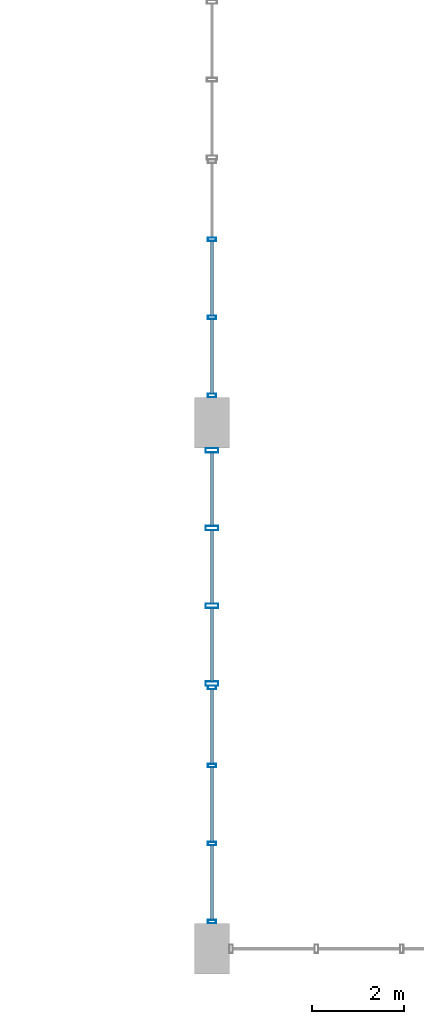
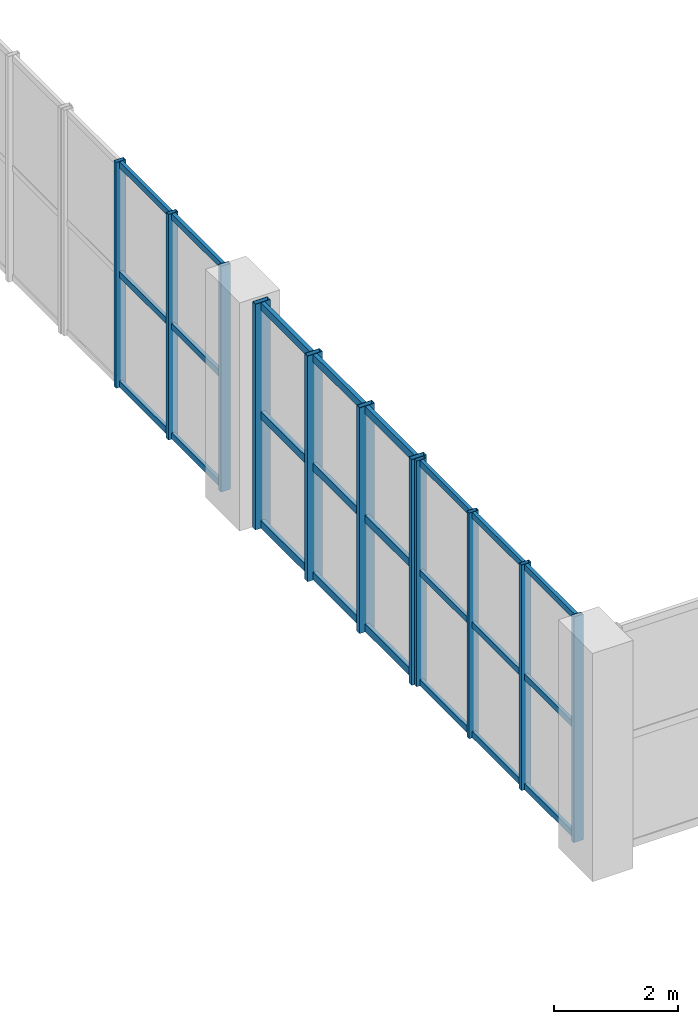
# One storey, part 12 of 48: 35 members, 3 elements without a shape of their own.
"""IFC4 building model written with IfcOpenShell, lengths in metres."""

import ifcopenshell
import ifcopenshell.guid

model = None  # the IFC model being written
_history = None  # IfcOwnerHistory: only IFC2X3 demands one
_inside = {}  # id of a spatial element -> (the spatial element, [elements in it])
_under = {}  # id of a project, library or spatial element -> (it, [spatial elements below it])
_declared = {}  # id of a project -> (the project, [libraries it declares])
_typed = {}  # id of a type object -> (the type object, [elements of that type])
_made_of = {}  # id of a material, layer set ... -> (it, [elements and type objects made of it])


def new_model(schema):
    """Start an empty IFC model of exactly this schema.

    Asked for "IFC4X3", IfcOpenShell would pick the latest addendum, in which some entities
    have other attributes; the version numbers below select the first issue.
    IFC2X3 requires an IfcOwnerHistory on every rooted entity: one is made here for all.
    """
    global model, _history
    if schema == "IFC4X3":
        model = ifcopenshell.file(schema_version=(4, 3, 0, 0))
    else:
        model = ifcopenshell.file(schema=schema)
    _inside.clear()
    _under.clear()
    _declared.clear()
    _typed.clear()
    _made_of.clear()
    _history = None
    if model.schema == "IFC2X3":
        org = make("IfcOrganization", Name="unknown")
        user = make(
            "IfcPersonAndOrganization",
            ThePerson=make("IfcPerson", FamilyName="unknown"),
            TheOrganization=org,
        )
        app = make(
            "IfcApplication",
            ApplicationDeveloper=org,
            Version="unknown",
            ApplicationFullName="unknown",
            ApplicationIdentifier="unknown",
        )
        _history = make(
            "IfcOwnerHistory",
            OwningUser=user,
            OwningApplication=app,
            ChangeAction="ADDED",
            CreationDate=0,
        )
    return model


def make(cls, **values):
    """One entity of the class cls with the attributes given. An attribute that is None is left unset."""
    return model.create_entity(
        cls, **{name: value for name, value in values.items() if value is not None}
    )


def rooted(cls, **values):
    """An entity with a GlobalId (a new one), such as an element, a storey or a relation."""
    return make(cls, GlobalId=ifcopenshell.guid.new(), OwnerHistory=_history, **values)


def si_unit(unit_type, name, prefix=None):
    """IfcSIUnit, for example si_unit("LENGTHUNIT", "METRE", prefix="MILLI")."""
    return make("IfcSIUnit", UnitType=unit_type, Prefix=prefix, Name=name)


def assignment(units):
    """IfcUnitAssignment: the units of a project."""
    return None if units is None else make("IfcUnitAssignment", Units=units)


def point(xyz):
    """IfcCartesianPoint."""
    return None if xyz is None else make("IfcCartesianPoint", Coordinates=xyz)


def direction(xyz):
    """IfcDirection."""
    return None if xyz is None else make("IfcDirection", DirectionRatios=xyz)


def frame(location, z_axis=None, x_axis=None):
    """IfcAxis2Placement3D, a coordinate frame: its origin and axes. An axis left out is left unset."""
    return make(
        "IfcAxis2Placement3D",
        Location=point(location),
        Axis=direction(z_axis),
        RefDirection=direction(x_axis),
    )


def frame_2d(location, x_axis=None):
    """IfcAxis2Placement2D, a coordinate frame in the plane: its origin and x axis."""
    return make(
        "IfcAxis2Placement2D", Location=point(location), RefDirection=direction(x_axis)
    )


def origin():
    """The frame at (0, 0, 0) with its axes left unset."""
    return frame((0.0, 0.0, 0.0))


def origin_2d():
    """The frame at (0, 0) in the plane with its x axis left unset."""
    return frame_2d((0.0, 0.0))


def place(relative_to, where):
    """IfcLocalPlacement: puts the frame where relative to a parent placement (None: the world)."""
    return make(
        "IfcLocalPlacement", PlacementRelTo=relative_to, RelativePlacement=where
    )


def context(
    kind, dimensions, precision=None, world=None, true_north=None, identifier=None
):
    """IfcGeometricRepresentationContext, for example the 3D "Model" context."""
    return make(
        "IfcGeometricRepresentationContext",
        ContextIdentifier=identifier,
        ContextType=kind,
        CoordinateSpaceDimension=dimensions,
        Precision=precision,
        WorldCoordinateSystem=world,
        TrueNorth=true_north,
    )


def subcontext(parent, identifier, kind, view, scale=None):
    """IfcGeometricRepresentationSubContext, for example "Body" below "Model"."""
    return make(
        "IfcGeometricRepresentationSubContext",
        ContextIdentifier=identifier,
        ContextType=kind,
        ParentContext=parent,
        TargetScale=scale,
        TargetView=view,
    )


def project(units=None, contexts=None):
    """IfcProject with its units and contexts."""
    return rooted(
        "IfcProject",
        Name="project",
        RepresentationContexts=contexts,
        UnitsInContext=assignment(units),
    )


def spatial(cls, under=None, at=None, **own):
    """A site, building, storey or space (cls), placed at a placement, below another one or the project."""
    s = rooted(cls, ObjectPlacement=at, **own)
    if under is not None:
        _under.setdefault(under.id(), (under, []))[1].append(s)
    return s


def profile(cls, at=None, kind="AREA", **sizes):
    """A parametric profile (cls). Its sizes go by their IFC names, for example OverallWidth=200.0."""
    return make(cls, ProfileType=kind, Position=at, **sizes)


def hollow_rectangle(**sizes):
    """IfcRectangleHollowProfileDef."""
    return profile("IfcRectangleHollowProfileDef", **sizes)


def extrude(swept, where, along, depth):
    """IfcExtrudedAreaSolid: the profile swept, set in the frame where, extruded along a direction by depth."""
    return make(
        "IfcExtrudedAreaSolid",
        SweptArea=swept,
        Position=where,
        ExtrudedDirection=direction(along),
        Depth=depth,
    )


def shape(context_of_items, identifier, shape_type, items):
    """IfcShapeRepresentation: the items that make up one representation, for example the "Body"."""
    return make(
        "IfcShapeRepresentation",
        ContextOfItems=context_of_items,
        RepresentationIdentifier=identifier,
        RepresentationType=shape_type,
        Items=items,
    )


def material(Name=None, Category=None):
    """IfcMaterial."""
    return make("IfcMaterial", Name=Name, Category=Category)


def layer(
    of_material, thickness, ventilated=None, Name=None, Category=None, Priority=None
):
    """IfcMaterialLayer: one layer of a wall or slab, of a material (None: an air gap)."""
    return make(
        "IfcMaterialLayer",
        Material=of_material,
        LayerThickness=thickness,
        IsVentilated=ventilated,
        Name=Name,
        Category=Category,
        Priority=Priority,
    )


def layer_set(layers, Name=None):
    """IfcMaterialLayerSet."""
    return make("IfcMaterialLayerSet", MaterialLayers=layers, LayerSetName=Name)


def material_profile(
    of_material, cross_section, Name=None, Category=None, Priority=None
):
    """IfcMaterialProfile: a cross section and its material."""
    return make(
        "IfcMaterialProfile",
        Name=Name,
        Material=of_material,
        Profile=cross_section,
        Priority=Priority,
        Category=Category,
    )


def profile_set(profiles, Name=None, composite=None):
    """IfcMaterialProfileSet."""
    return make(
        "IfcMaterialProfileSet",
        Name=Name,
        MaterialProfiles=profiles,
        CompositeProfile=composite,
    )


def made_of(thing, what):
    """Note that an element or type object is made of a material, layer set ...; save() writes the relation."""
    if what is not None:
        _made_of.setdefault(what.id(), (what, []))[1].append(thing)
    return thing


def type_object(cls, material=None, **own):
    """A type object (cls), such as IfcWallType, which elements share."""
    return made_of(rooted(cls, **own), material)


def element(
    cls,
    number,
    at=None,
    inside=None,
    cuts=None,
    type_object=None,
    material=None,
    context=None,
    identifier="Body",
    shape_type=None,
    held_by="IfcProductDefinitionShape",
    body=None,
    shapes=None,
    **own,
):
    """One element of the class cls, such as IfcWall. Its Tag is "e" and its number.

    at: its placement. inside: the storey or other place that contains it. cuts: it is an
    opening in that element (IfcRelVoidsElement). A single representation is given by context,
    identifier, shape_type and body (its items); several are given by shapes. held_by: the class
    of the entity that holds the representations. save() writes the other relations.
    """
    e = rooted(cls, Tag="e%d" % number, ObjectPlacement=at, **own)
    if body is not None:
        shapes = [shape(context, identifier, shape_type, body)]
    if shapes is not None:
        e.Representation = make(held_by, Representations=shapes)
    if inside is not None:
        _inside.setdefault(inside.id(), (inside, []))[1].append(e)
    if cuts is not None:
        rooted(
            "IfcRelVoidsElement", RelatingBuildingElement=cuts, RelatedOpeningElement=e
        )
    if type_object is not None:
        _typed.setdefault(type_object.id(), (type_object, []))[1].append(e)
    return made_of(e, material)


def aggregate(whole, parts):
    """IfcRelAggregates: a whole, such as a stair, and the parts it consists of."""
    return rooted("IfcRelAggregates", RelatingObject=whole, RelatedObjects=parts)


def save(model, path):
    """Write the relations noted so far, then the file.

    IfcRelAggregates (storeys below a building ...), IfcRelContainedInSpatialStructure (elements
    in a storey), IfcRelDefinesByType, IfcRelAssociatesMaterial and IfcRelDeclares: one each for
    every whole, place, type object, material and project.
    """
    for whole, parts in _under.values():
        aggregate(whole, parts)
    for where, things in _inside.values():
        rooted(
            "IfcRelContainedInSpatialStructure",
            RelatedElements=things,
            RelatingStructure=where,
        )
    for kind, things in _typed.values():
        rooted("IfcRelDefinesByType", RelatedObjects=things, RelatingType=kind)
    for what, things in _made_of.values():
        rooted("IfcRelAssociatesMaterial", RelatedObjects=things, RelatingMaterial=what)
    for by, libraries in _declared.values():
        rooted("IfcRelDeclares", RelatingContext=by, RelatedDefinitions=libraries)
    model.write(path)


model = new_model("IFC4")

# Units and contexts
model_context = context("Model", 3, precision=1e-05, world=origin(), true_north=direction((0.0, 1.0)))
body_context = subcontext(model_context, "Body", "Model", "MODEL_VIEW")
ifc_project = project(units=[si_unit("LENGTHUNIT", "METRE"), si_unit("AREAUNIT", "SQUARE_METRE"), si_unit("VOLUMEUNIT", "CUBIC_METRE"), si_unit("PLANEANGLEUNIT", "RADIAN"), si_unit("MASSUNIT", "GRAM", prefix="KILO"), si_unit("POWERUNIT", "WATT"), si_unit("THERMODYNAMICTEMPERATUREUNIT", "KELVIN")], contexts=[model_context])

# Site, building, storey
site_placement = place(None, origin())
site = spatial("IfcSite", under=ifc_project, at=site_placement, CompositionType="ELEMENT")
building_placement = place(site_placement, origin())
building = spatial("IfcBuilding", under=site, at=building_placement, Name="Kelmbourne Parkland Aquatics Centre", CompositionType="ELEMENT")
storey_placement = place(building_placement, frame((0.0, 0.0, 14.699951171875)))
storey = spatial("IfcBuildingStorey", under=building, at=storey_placement, Name="L03", CompositionType="ELEMENT", Elevation=14.699951171875)

# Curtain wall, members
ifc_material = material(Name="Thermally broken anodised aluminium framing", Category="aluminium")
ifc_layer_1 = layer(ifc_material, 0.179931640625)
ifc_layer_set_1 = layer_set([ifc_layer_1], Name="Thermally broken anodised aluminium framing")
curtain_wall_type_1 = type_object("IfcCurtainWallType", Name="CW-06", PredefinedType="NOTDEFINED", material=ifc_layer_set_1)
curtain_wall_1_placement = place(storey_placement, origin())
curtain_wall_1 = element("IfcCurtainWall", 1, at=curtain_wall_1_placement, inside=storey, type_object=curtain_wall_type_1, Name="Wave-hall clerestory curtain wall CW-L03-006", PredefinedType="NOTDEFINED")
ifc_material_profile_1 = material_profile(ifc_material, hollow_rectangle(XDim=0.074951171875, YDim=0.179931640625, WallThickness=0.00439453125, at=origin_2d()), Name="CW-M 75x180")
ifc_profile_set_1 = profile_set([ifc_material_profile_1], Name="Thermally broken anodised aluminium framing")
member_type_1 = type_object("IfcMemberType", Name="MB-MUL-2", PredefinedType="MULLION", material=ifc_profile_set_1)
member_1_placement = place(storey_placement, frame((128.0, 1.389404296875, 0.0), z_axis=(0.0, 0.0, 1.0), x_axis=(0.0, 1.0, 0.0)))
member_1 = element("IfcMember", 2, at=member_1_placement, type_object=member_type_1, Name="CW-L03-006 mullion 0", PredefinedType="MULLION", context=body_context, shape_type="SweptSolid", body=[
    extrude(hollow_rectangle(XDim=0.074951171875, YDim=0.179931640625, WallThickness=0.00439453125, at=origin_2d()), origin(), (0.0, 0.0, 1.0), 4.449951171875),
])
member_2_placement = place(storey_placement, frame((128.0, 3.08056640625, 0.0), z_axis=(0.0, 0.0, 1.0), x_axis=(0.0, 1.0, 0.0)))
member_2 = element("IfcMember", 3, at=member_2_placement, type_object=member_type_1, Name="CW-L03-006 mullion 1", PredefinedType="MULLION", context=body_context, shape_type="SweptSolid", body=[
    extrude(hollow_rectangle(XDim=0.074951171875, YDim=0.179931640625, WallThickness=0.00439453125, at=origin_2d()), origin(), (0.0, 0.0, 1.0), 4.449951171875),
])
member_3_placement = place(storey_placement, frame((128.0, 4.771484375, 0.0), z_axis=(0.0, 0.0, 1.0), x_axis=(0.0, 1.0, 0.0)))
member_3 = element("IfcMember", 4, at=member_3_placement, type_object=member_type_1, Name="CW-L03-006 mullion 2", PredefinedType="MULLION", context=body_context, shape_type="SweptSolid", body=[
    extrude(hollow_rectangle(XDim=0.074951171875, YDim=0.179931640625, WallThickness=0.00439453125, at=origin_2d()), origin(), (0.0, 0.0, 1.0), 4.449951171875),
])
member_4_placement = place(storey_placement, frame((128.0, 6.46240234375, 0.0), z_axis=(0.0, 0.0, 1.0), x_axis=(0.0, 1.0, 0.0)))
member_4 = element("IfcMember", 5, at=member_4_placement, type_object=member_type_1, Name="CW-L03-006 mullion 3", PredefinedType="MULLION", context=body_context, shape_type="SweptSolid", body=[
    extrude(hollow_rectangle(XDim=0.074951171875, YDim=0.179931640625, WallThickness=0.00439453125, at=origin_2d()), origin(), (0.0, 0.0, 1.0), 4.449951171875),
])

ifc_layer_2 = layer(ifc_material, 0.179931640625)
ifc_layer_set_2 = layer_set([ifc_layer_2], Name="Thermally broken anodised aluminium framing")
curtain_wall_type_2 = type_object("IfcCurtainWallType", Name="CW-21", PredefinedType="NOTDEFINED", material=ifc_layer_set_2)
curtain_wall_2_placement = place(storey_placement, origin())
curtain_wall_2 = element("IfcCurtainWall", 6, at=curtain_wall_2_placement, inside=storey, type_object=curtain_wall_type_2, Name="Wave-hall clerestory curtain wall CW-L03-021", PredefinedType="NOTDEFINED")
member_5_placement = place(storey_placement, frame((128.0, 12.78955078125, 0.0), z_axis=(0.0, 0.0, 1.0), x_axis=(0.0, 1.0, 0.0)))
member_5 = element("IfcMember", 7, at=member_5_placement, type_object=member_type_1, Name="CW-L03-021 mullion 0", PredefinedType="MULLION", context=body_context, shape_type="SweptSolid", body=[
    extrude(hollow_rectangle(XDim=0.074951171875, YDim=0.179931640625, WallThickness=0.00439453125, at=origin_2d()), origin(), (0.0, 0.0, 1.0), 4.449951171875),
])
member_6_placement = place(storey_placement, frame((128.0, 14.48046875, 0.0), z_axis=(0.0, 0.0, 1.0), x_axis=(0.0, 1.0, 0.0)))
member_6 = element("IfcMember", 8, at=member_6_placement, type_object=member_type_1, Name="CW-L03-021 mullion 1", PredefinedType="MULLION", context=body_context, shape_type="SweptSolid", body=[
    extrude(hollow_rectangle(XDim=0.074951171875, YDim=0.179931640625, WallThickness=0.00439453125, at=origin_2d()), origin(), (0.0, 0.0, 1.0), 4.449951171875),
])
member_7_placement = place(storey_placement, frame((128.0, 16.17138671875, 0.0), z_axis=(0.0, 0.0, 1.0), x_axis=(0.0, 1.0, 0.0)))
member_7 = element("IfcMember", 9, at=member_7_placement, type_object=member_type_1, Name="CW-L03-021 mullion 2", PredefinedType="MULLION", context=body_context, shape_type="SweptSolid", body=[
    extrude(hollow_rectangle(XDim=0.074951171875, YDim=0.179931640625, WallThickness=0.00439453125, at=origin_2d()), origin(), (0.0, 0.0, 1.0), 4.449951171875),
])

ifc_layer_3 = layer(ifc_material, 0.179931640625)
ifc_layer_set_3 = layer_set([ifc_layer_3], Name="Thermally broken anodised aluminium framing")
curtain_wall_type_3 = type_object("IfcCurtainWallType", Name="CW-13", PredefinedType="NOTDEFINED", material=ifc_layer_set_3)
curtain_wall_3_placement = place(storey_placement, origin())
curtain_wall_3 = element("IfcCurtainWall", 10, at=curtain_wall_3_placement, inside=storey, type_object=curtain_wall_type_3, Name="Wave-hall clerestory curtain wall CW-L03-013", PredefinedType="NOTDEFINED")
ifc_material_profile_2 = material_profile(ifc_material, hollow_rectangle(XDim=0.094970703125, YDim=0.280029296875, WallThickness=0.005615234375, at=origin_2d()), Name="CW-M 95x280")
ifc_profile_set_2 = profile_set([ifc_material_profile_2], Name="Thermally broken anodised aluminium framing")
member_type_2 = type_object("IfcMemberType", Name="MB-MUL-4", PredefinedType="MULLION", material=ifc_profile_set_2)
member_8_placement = place(storey_placement, frame((128.0, 6.547607421875, 0.0), z_axis=(0.0, 0.0, 1.0), x_axis=(0.0, 1.0, 0.0)))
member_8 = element("IfcMember", 11, at=member_8_placement, type_object=member_type_2, Name="CW-L03-013 mullion 0", PredefinedType="MULLION", context=body_context, shape_type="SweptSolid", body=[
    extrude(hollow_rectangle(XDim=0.094970703125, YDim=0.280029296875, WallThickness=0.005615234375, at=origin_2d()), origin(), (0.0, 0.0, 1.0), 4.449951171875),
])
member_9_placement = place(storey_placement, frame((128.0, 8.231689453125, 0.0), z_axis=(0.0, 0.0, 1.0), x_axis=(0.0, 1.0, 0.0)))
member_9 = element("IfcMember", 12, at=member_9_placement, type_object=member_type_2, Name="CW-L03-013 mullion 1", PredefinedType="MULLION", context=body_context, shape_type="SweptSolid", body=[
    extrude(hollow_rectangle(XDim=0.094970703125, YDim=0.280029296875, WallThickness=0.005615234375, at=origin_2d()), origin(), (0.0, 0.0, 1.0), 4.449951171875),
])
member_10_placement = place(storey_placement, frame((128.0, 9.916259765625, 0.0), z_axis=(0.0, 0.0, 1.0), x_axis=(0.0, 1.0, 0.0)))
member_10 = element("IfcMember", 13, at=member_10_placement, type_object=member_type_2, Name="CW-L03-013 mullion 2", PredefinedType="MULLION", context=body_context, shape_type="SweptSolid", body=[
    extrude(hollow_rectangle(XDim=0.094970703125, YDim=0.280029296875, WallThickness=0.005615234375, at=origin_2d()), origin(), (0.0, 0.0, 1.0), 4.449951171875),
])
member_11_placement = place(storey_placement, frame((128.0, 11.6005859375, 0.0), z_axis=(0.0, 0.0, 1.0), x_axis=(0.0, 1.0, 0.0)))
member_11 = element("IfcMember", 14, at=member_11_placement, type_object=member_type_2, Name="CW-L03-013 mullion 3", PredefinedType="MULLION", context=body_context, shape_type="SweptSolid", body=[
    extrude(hollow_rectangle(XDim=0.094970703125, YDim=0.280029296875, WallThickness=0.005615234375, at=origin_2d()), origin(), (0.0, 0.0, 1.0), 4.449951171875),
])

# Member
ifc_material_profile_3 = material_profile(ifc_material, hollow_rectangle(XDim=0.06494140625, YDim=0.1201171875, WallThickness=0.00341796875, at=origin_2d()), Name="CW-T 65x120")
ifc_profile_set_3 = profile_set([ifc_material_profile_3], Name="Thermally broken anodised aluminium framing")
member_type_3 = type_object("IfcMemberType", Name="MB-TRN-1", PredefinedType="USERDEFINED", material=ifc_profile_set_3)
member_12_placement = place(storey_placement, frame((128.0, 1.423095703125, 0.06298828125), z_axis=(0.0, 1.0, 0.0), x_axis=(-1.0, 0.0, 0.0)))
member_12 = element("IfcMember", 15, at=member_12_placement, type_object=member_type_3, Name="CW-L03-006 transom 0-0", ObjectType="TRANSOM", PredefinedType="USERDEFINED", context=body_context, shape_type="SweptSolid", body=[
    extrude(hollow_rectangle(XDim=0.06494140625, YDim=0.1201171875, WallThickness=0.00341796875, at=origin_2d()), origin(), (0.0, 0.0, 1.0), 1.6240234375),
])

member_13_placement = place(storey_placement, frame((128.0, 3.114013671875, 0.06298828125), z_axis=(0.0, 1.0, 0.0), x_axis=(-1.0, 0.0, 0.0)))
member_13 = element("IfcMember", 16, at=member_13_placement, type_object=member_type_3, Name="CW-L03-006 transom 0-1", ObjectType="TRANSOM", PredefinedType="USERDEFINED", context=body_context, shape_type="SweptSolid", body=[
    extrude(hollow_rectangle(XDim=0.06494140625, YDim=0.1201171875, WallThickness=0.00341796875, at=origin_2d()), origin(), (0.0, 0.0, 1.0), 1.6240234375),
])

member_14_placement = place(storey_placement, frame((128.0, 4.804931640625, 0.06298828125), z_axis=(0.0, 1.0, 0.0), x_axis=(-1.0, 0.0, 0.0)))
member_14 = element("IfcMember", 17, at=member_14_placement, type_object=member_type_3, Name="CW-L03-006 transom 0-2", ObjectType="TRANSOM", PredefinedType="USERDEFINED", context=body_context, shape_type="SweptSolid", body=[
    extrude(hollow_rectangle(XDim=0.06494140625, YDim=0.1201171875, WallThickness=0.00341796875, at=origin_2d()), origin(), (0.0, 0.0, 1.0), 1.6240234375),
])

member_15_placement = place(storey_placement, frame((128.0, 1.423095703125, 2.22509765625), z_axis=(0.0, 1.0, 0.0), x_axis=(-1.0, 0.0, 0.0)))
member_15 = element("IfcMember", 18, at=member_15_placement, type_object=member_type_3, Name="CW-L03-006 transom 1-0", ObjectType="TRANSOM", PredefinedType="USERDEFINED", context=body_context, shape_type="SweptSolid", body=[
    extrude(hollow_rectangle(XDim=0.06494140625, YDim=0.1201171875, WallThickness=0.00341796875, at=origin_2d()), origin(), (0.0, 0.0, 1.0), 1.6240234375),
])

member_16_placement = place(storey_placement, frame((128.0, 3.114013671875, 2.22509765625), z_axis=(0.0, 1.0, 0.0), x_axis=(-1.0, 0.0, 0.0)))
member_16 = element("IfcMember", 19, at=member_16_placement, type_object=member_type_3, Name="CW-L03-006 transom 1-1", ObjectType="TRANSOM", PredefinedType="USERDEFINED", context=body_context, shape_type="SweptSolid", body=[
    extrude(hollow_rectangle(XDim=0.06494140625, YDim=0.1201171875, WallThickness=0.00341796875, at=origin_2d()), origin(), (0.0, 0.0, 1.0), 1.6240234375),
])

member_17_placement = place(storey_placement, frame((128.0, 4.804931640625, 2.22509765625), z_axis=(0.0, 1.0, 0.0), x_axis=(-1.0, 0.0, 0.0)))
member_17 = element("IfcMember", 20, at=member_17_placement, type_object=member_type_3, Name="CW-L03-006 transom 1-2", ObjectType="TRANSOM", PredefinedType="USERDEFINED", context=body_context, shape_type="SweptSolid", body=[
    extrude(hollow_rectangle(XDim=0.06494140625, YDim=0.1201171875, WallThickness=0.00341796875, at=origin_2d()), origin(), (0.0, 0.0, 1.0), 1.6240234375),
])

member_18_placement = place(storey_placement, frame((128.0, 1.423095703125, 4.386962890625), z_axis=(0.0, 1.0, 0.0), x_axis=(-1.0, 0.0, 0.0)))
member_18 = element("IfcMember", 21, at=member_18_placement, type_object=member_type_3, Name="CW-L03-006 transom 2-0", ObjectType="TRANSOM", PredefinedType="USERDEFINED", context=body_context, shape_type="SweptSolid", body=[
    extrude(hollow_rectangle(XDim=0.06494140625, YDim=0.1201171875, WallThickness=0.00341796875, at=origin_2d()), origin(), (0.0, 0.0, 1.0), 1.6240234375),
])

member_19_placement = place(storey_placement, frame((128.0, 3.114013671875, 4.386962890625), z_axis=(0.0, 1.0, 0.0), x_axis=(-1.0, 0.0, 0.0)))
member_19 = element("IfcMember", 22, at=member_19_placement, type_object=member_type_3, Name="CW-L03-006 transom 2-1", ObjectType="TRANSOM", PredefinedType="USERDEFINED", context=body_context, shape_type="SweptSolid", body=[
    extrude(hollow_rectangle(XDim=0.06494140625, YDim=0.1201171875, WallThickness=0.00341796875, at=origin_2d()), origin(), (0.0, 0.0, 1.0), 1.6240234375),
])

member_20_placement = place(storey_placement, frame((128.0, 4.804931640625, 4.386962890625), z_axis=(0.0, 1.0, 0.0), x_axis=(-1.0, 0.0, 0.0)))
member_20 = element("IfcMember", 23, at=member_20_placement, type_object=member_type_3, Name="CW-L03-006 transom 2-2", ObjectType="TRANSOM", PredefinedType="USERDEFINED", context=body_context, shape_type="SweptSolid", body=[
    extrude(hollow_rectangle(XDim=0.06494140625, YDim=0.1201171875, WallThickness=0.00341796875, at=origin_2d()), origin(), (0.0, 0.0, 1.0), 1.6240234375),
])

aggregate(curtain_wall_1, [member_1, member_2, member_3, member_4, member_12, member_13, member_14, member_15, member_16, member_17, member_18, member_19, member_20])

member_21_placement = place(storey_placement, frame((128.0, 12.822998046875, 0.06298828125), z_axis=(0.0, 1.0, 0.0), x_axis=(-1.0, 0.0, 0.0)))
member_21 = element("IfcMember", 24, at=member_21_placement, type_object=member_type_3, Name="CW-L03-021 transom 0-0", ObjectType="TRANSOM", PredefinedType="USERDEFINED", context=body_context, shape_type="SweptSolid", body=[
    extrude(hollow_rectangle(XDim=0.06494140625, YDim=0.1201171875, WallThickness=0.00341796875, at=origin_2d()), origin(), (0.0, 0.0, 1.0), 1.6240234375),
])

member_22_placement = place(storey_placement, frame((128.0, 14.513916015625, 0.06298828125), z_axis=(0.0, 1.0, 0.0), x_axis=(-1.0, 0.0, 0.0)))
member_22 = element("IfcMember", 25, at=member_22_placement, type_object=member_type_3, Name="CW-L03-021 transom 0-1", ObjectType="TRANSOM", PredefinedType="USERDEFINED", context=body_context, shape_type="SweptSolid", body=[
    extrude(hollow_rectangle(XDim=0.06494140625, YDim=0.1201171875, WallThickness=0.00341796875, at=origin_2d()), origin(), (0.0, 0.0, 1.0), 1.6240234375),
])

member_23_placement = place(storey_placement, frame((128.0, 12.822998046875, 2.22509765625), z_axis=(0.0, 1.0, 0.0), x_axis=(-1.0, 0.0, 0.0)))
member_23 = element("IfcMember", 26, at=member_23_placement, type_object=member_type_3, Name="CW-L03-021 transom 1-0", ObjectType="TRANSOM", PredefinedType="USERDEFINED", context=body_context, shape_type="SweptSolid", body=[
    extrude(hollow_rectangle(XDim=0.06494140625, YDim=0.1201171875, WallThickness=0.00341796875, at=origin_2d()), origin(), (0.0, 0.0, 1.0), 1.6240234375),
])

member_24_placement = place(storey_placement, frame((128.0, 14.513916015625, 2.22509765625), z_axis=(0.0, 1.0, 0.0), x_axis=(-1.0, 0.0, 0.0)))
member_24 = element("IfcMember", 27, at=member_24_placement, type_object=member_type_3, Name="CW-L03-021 transom 1-1", ObjectType="TRANSOM", PredefinedType="USERDEFINED", context=body_context, shape_type="SweptSolid", body=[
    extrude(hollow_rectangle(XDim=0.06494140625, YDim=0.1201171875, WallThickness=0.00341796875, at=origin_2d()), origin(), (0.0, 0.0, 1.0), 1.6240234375),
])

member_25_placement = place(storey_placement, frame((128.0, 12.822998046875, 4.386962890625), z_axis=(0.0, 1.0, 0.0), x_axis=(-1.0, 0.0, 0.0)))
member_25 = element("IfcMember", 28, at=member_25_placement, type_object=member_type_3, Name="CW-L03-021 transom 2-0", ObjectType="TRANSOM", PredefinedType="USERDEFINED", context=body_context, shape_type="SweptSolid", body=[
    extrude(hollow_rectangle(XDim=0.06494140625, YDim=0.1201171875, WallThickness=0.00341796875, at=origin_2d()), origin(), (0.0, 0.0, 1.0), 1.6240234375),
])

member_26_placement = place(storey_placement, frame((128.0, 14.513916015625, 4.386962890625), z_axis=(0.0, 1.0, 0.0), x_axis=(-1.0, 0.0, 0.0)))
member_26 = element("IfcMember", 29, at=member_26_placement, type_object=member_type_3, Name="CW-L03-021 transom 2-1", ObjectType="TRANSOM", PredefinedType="USERDEFINED", context=body_context, shape_type="SweptSolid", body=[
    extrude(hollow_rectangle(XDim=0.06494140625, YDim=0.1201171875, WallThickness=0.00341796875, at=origin_2d()), origin(), (0.0, 0.0, 1.0), 1.6240234375),
])

aggregate(curtain_wall_2, [member_5, member_6, member_7, member_21, member_22, member_23, member_24, member_25, member_26])

ifc_material_profile_4 = material_profile(ifc_material, hollow_rectangle(XDim=0.074951171875, YDim=0.14990234375, WallThickness=0.00390625, at=origin_2d()), Name="CW-T 75x150")
ifc_profile_set_4 = profile_set([ifc_material_profile_4], Name="Thermally broken anodised aluminium framing")
member_type_4 = type_object("IfcMemberType", Name="MB-TRN-2", PredefinedType="USERDEFINED", material=ifc_profile_set_4)
member_27_placement = place(storey_placement, frame((128.0, 6.591064453125, 0.078125), z_axis=(0.0, 1.0, 0.0), x_axis=(-1.0, 0.0, 0.0)))
member_27 = element("IfcMember", 30, at=member_27_placement, type_object=member_type_4, Name="CW-L03-013 transom 0-0", ObjectType="TRANSOM", PredefinedType="USERDEFINED", context=body_context, shape_type="SweptSolid", body=[
    extrude(hollow_rectangle(XDim=0.074951171875, YDim=0.14990234375, WallThickness=0.00390625, at=origin_2d()), origin(), (0.0, 0.0, 1.0), 1.59716796875),
])

member_28_placement = place(storey_placement, frame((128.0, 8.275390625, 0.078125), z_axis=(0.0, 1.0, 0.0), x_axis=(-1.0, 0.0, 0.0)))
member_28 = element("IfcMember", 31, at=member_28_placement, type_object=member_type_4, Name="CW-L03-013 transom 0-1", ObjectType="TRANSOM", PredefinedType="USERDEFINED", context=body_context, shape_type="SweptSolid", body=[
    extrude(hollow_rectangle(XDim=0.074951171875, YDim=0.14990234375, WallThickness=0.00390625, at=origin_2d()), origin(), (0.0, 0.0, 1.0), 1.597412109375),
])

member_29_placement = place(storey_placement, frame((128.0, 9.959716796875, 0.078125), z_axis=(0.0, 1.0, 0.0), x_axis=(-1.0, 0.0, 0.0)))
member_29 = element("IfcMember", 32, at=member_29_placement, type_object=member_type_4, Name="CW-L03-013 transom 0-2", ObjectType="TRANSOM", PredefinedType="USERDEFINED", context=body_context, shape_type="SweptSolid", body=[
    extrude(hollow_rectangle(XDim=0.074951171875, YDim=0.14990234375, WallThickness=0.00390625, at=origin_2d()), origin(), (0.0, 0.0, 1.0), 1.59716796875),
])

member_30_placement = place(storey_placement, frame((128.0, 6.591064453125, 2.22509765625), z_axis=(0.0, 1.0, 0.0), x_axis=(-1.0, 0.0, 0.0)))
member_30 = element("IfcMember", 33, at=member_30_placement, type_object=member_type_4, Name="CW-L03-013 transom 1-0", ObjectType="TRANSOM", PredefinedType="USERDEFINED", context=body_context, shape_type="SweptSolid", body=[
    extrude(hollow_rectangle(XDim=0.074951171875, YDim=0.14990234375, WallThickness=0.00390625, at=origin_2d()), origin(), (0.0, 0.0, 1.0), 1.59716796875),
])

member_31_placement = place(storey_placement, frame((128.0, 8.275390625, 2.22509765625), z_axis=(0.0, 1.0, 0.0), x_axis=(-1.0, 0.0, 0.0)))
member_31 = element("IfcMember", 34, at=member_31_placement, type_object=member_type_4, Name="CW-L03-013 transom 1-1", ObjectType="TRANSOM", PredefinedType="USERDEFINED", context=body_context, shape_type="SweptSolid", body=[
    extrude(hollow_rectangle(XDim=0.074951171875, YDim=0.14990234375, WallThickness=0.00390625, at=origin_2d()), origin(), (0.0, 0.0, 1.0), 1.597412109375),
])

member_32_placement = place(storey_placement, frame((128.0, 9.959716796875, 2.22509765625), z_axis=(0.0, 1.0, 0.0), x_axis=(-1.0, 0.0, 0.0)))
member_32 = element("IfcMember", 35, at=member_32_placement, type_object=member_type_4, Name="CW-L03-013 transom 1-2", ObjectType="TRANSOM", PredefinedType="USERDEFINED", context=body_context, shape_type="SweptSolid", body=[
    extrude(hollow_rectangle(XDim=0.074951171875, YDim=0.14990234375, WallThickness=0.00390625, at=origin_2d()), origin(), (0.0, 0.0, 1.0), 1.59716796875),
])

member_33_placement = place(storey_placement, frame((128.0, 6.591064453125, 4.3720703125), z_axis=(0.0, 1.0, 0.0), x_axis=(-1.0, 0.0, 0.0)))
member_33 = element("IfcMember", 36, at=member_33_placement, type_object=member_type_4, Name="CW-L03-013 transom 2-0", ObjectType="TRANSOM", PredefinedType="USERDEFINED", context=body_context, shape_type="SweptSolid", body=[
    extrude(hollow_rectangle(XDim=0.074951171875, YDim=0.14990234375, WallThickness=0.00390625, at=origin_2d()), origin(), (0.0, 0.0, 1.0), 1.59716796875),
])

member_34_placement = place(storey_placement, frame((128.0, 8.275390625, 4.3720703125), z_axis=(0.0, 1.0, 0.0), x_axis=(-1.0, 0.0, 0.0)))
member_34 = element("IfcMember", 37, at=member_34_placement, type_object=member_type_4, Name="CW-L03-013 transom 2-1", ObjectType="TRANSOM", PredefinedType="USERDEFINED", context=body_context, shape_type="SweptSolid", body=[
    extrude(hollow_rectangle(XDim=0.074951171875, YDim=0.14990234375, WallThickness=0.00390625, at=origin_2d()), origin(), (0.0, 0.0, 1.0), 1.597412109375),
])

member_35_placement = place(storey_placement, frame((128.0, 9.959716796875, 4.3720703125), z_axis=(0.0, 1.0, 0.0), x_axis=(-1.0, 0.0, 0.0)))
member_35 = element("IfcMember", 38, at=member_35_placement, type_object=member_type_4, Name="CW-L03-013 transom 2-2", ObjectType="TRANSOM", PredefinedType="USERDEFINED", context=body_context, shape_type="SweptSolid", body=[
    extrude(hollow_rectangle(XDim=0.074951171875, YDim=0.14990234375, WallThickness=0.00390625, at=origin_2d()), origin(), (0.0, 0.0, 1.0), 1.59716796875),
])

aggregate(curtain_wall_3, [member_8, member_9, member_10, member_11, member_27, member_28, member_29, member_30, member_31, member_32, member_33, member_34, member_35])

save(model, "model.ifc")
